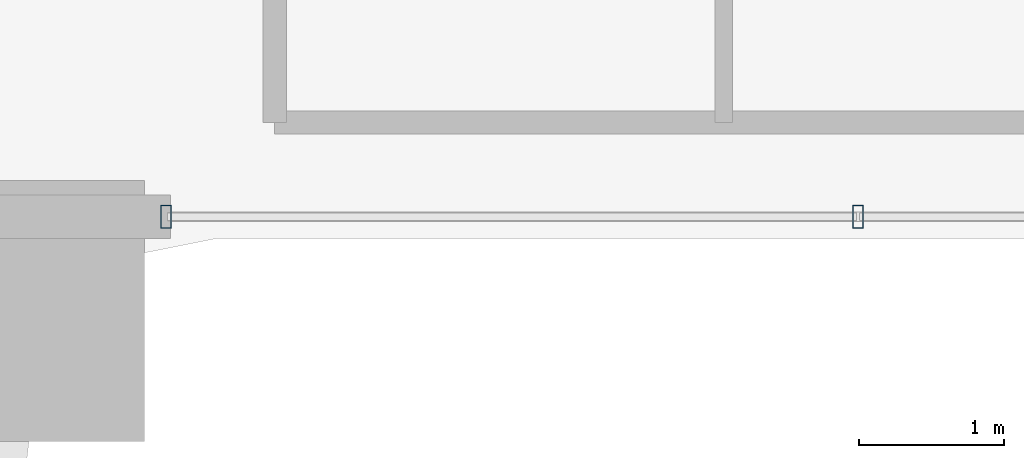
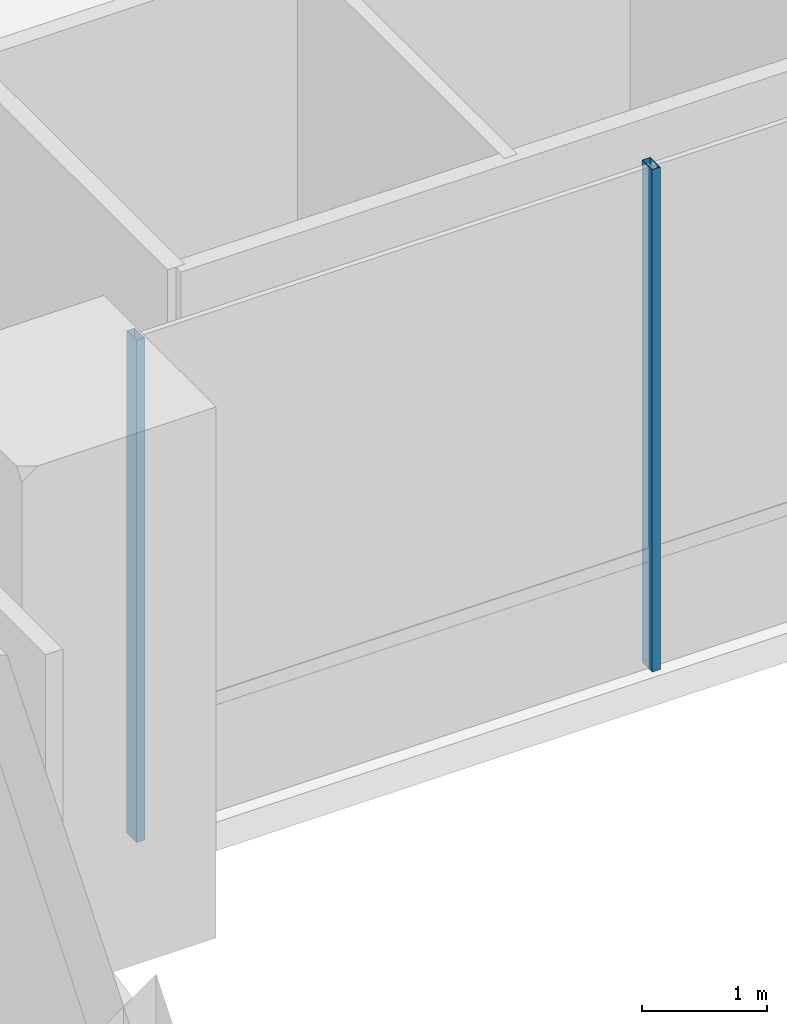
# One storey, part 6 of 39: 2 members, 1 element without a shape of its own.
"""IFC4 building model written with IfcOpenShell, lengths in metres."""

from ifc_helpers import new_model, si_unit, direction, frame, origin, origin_2d, place, context, subcontext, project, spatial, hollow_rectangle, extrude, source, transform, mapped, material, material_profile, profile_set, type_object, element, aggregate, save


model = new_model("IFC4")

# Units and contexts
model_context = context("Model", 3, precision=1e-05, world=origin(), true_north=direction((0.0, 1.0)))
body_context = subcontext(model_context, "Body", "Model", "MODEL_VIEW")
ifc_project = project(units=[si_unit("LENGTHUNIT", "METRE"), si_unit("AREAUNIT", "SQUARE_METRE"), si_unit("VOLUMEUNIT", "CUBIC_METRE"), si_unit("PLANEANGLEUNIT", "RADIAN"), si_unit("MASSUNIT", "GRAM", prefix="KILO")], contexts=[model_context])

# Site, building, storey
site_placement = place(None, origin())
site = spatial("IfcSite", under=ifc_project, at=site_placement, CompositionType="ELEMENT")
building_placement = place(site_placement, origin())
building = spatial("IfcBuilding", under=site, at=building_placement, Name="Valdorenza Pilgrim Sanctuary Tower", CompositionType="ELEMENT")
storey_placement = place(building_placement, frame((0.0, 0.0, 5.199951171875)))
storey = spatial("IfcBuildingStorey", under=building, at=storey_placement, Name="L01", CompositionType="ELEMENT", Elevation=5.199951171875)

# Curtain wall, members
ifc_material_1 = material(Name="Curtain-wall IGU glazing", Category="glass")
curtain_wall_type = type_object("IfcCurtainWallType", Name="CW-SYS-01", PredefinedType="NOTDEFINED", material=ifc_material_1)
curtain_wall_placement = place(storey_placement, origin())
curtain_wall = element("IfcCurtainWall", 1, at=curtain_wall_placement, inside=storey, type_object=curtain_wall_type, Name="L01 Curtain Wall CW-POD-L01-ARCH-BACK", PredefinedType="NOTDEFINED")
ifc_material_2 = material(Name="Anodised aluminium AW-6060", Category="aluminium")
ifc_material_profile = material_profile(ifc_material_2, hollow_rectangle(XDim=0.074951171875, YDim=0.159912109375, WallThickness=0.00390625, at=origin_2d()), Name="ALU-M 160x75x4")
ifc_profile_set = profile_set([ifc_material_profile], Name="Anodised aluminium AW-6060")
member_type = type_object("IfcMemberType", Name="CW-MUL-01", PredefinedType="MULLION", material=ifc_profile_set)
shared_shape = source(origin(), body_context, "Body", "SweptSolid", [
    extrude(hollow_rectangle(XDim=0.074951171875, YDim=0.159912109375, WallThickness=0.00390625, at=origin_2d()), origin(), (0.0, 0.0, 1.0), 4.920166015625),
])
member_1_placement = place(storey_placement, frame((-9.550048828125, -5.85009765625, 0.0), z_axis=(0.0, 0.0, 1.0), x_axis=(1.0, 0.0, 0.0)))
member_1 = element("IfcMember", 2, at=member_1_placement, type_object=member_type, Name="CW-POD-L01-ARCH-BACK Mullion 1", PredefinedType="MULLION", context=body_context, shape_type="MappedRepresentation", body=[
    mapped(shared_shape, transform((0.0, 0.0, 0.0), x_axis=(1.0, 0.0, 0.0), y_axis=(0.0, 1.0, 0.0), z_axis=(0.0, 0.0, 1.0), scale=1.0)),
])
member_2_placement = place(storey_placement, frame((-4.77490234375, -5.85009765625, 0.0), z_axis=(0.0, 0.0, 1.0), x_axis=(1.0, 0.0, 0.0)))
member_2 = element("IfcMember", 3, at=member_2_placement, type_object=member_type, Name="CW-POD-L01-ARCH-BACK Mullion 2", PredefinedType="MULLION", context=body_context, shape_type="MappedRepresentation", body=[
    mapped(shared_shape, transform((0.0, 0.0, 0.0), x_axis=(1.0, 0.0, 0.0), y_axis=(0.0, 1.0, 0.0), z_axis=(0.0, 0.0, 1.0), scale=1.0)),
])
aggregate(curtain_wall, [member_1, member_2])

save(model, "model.ifc")
